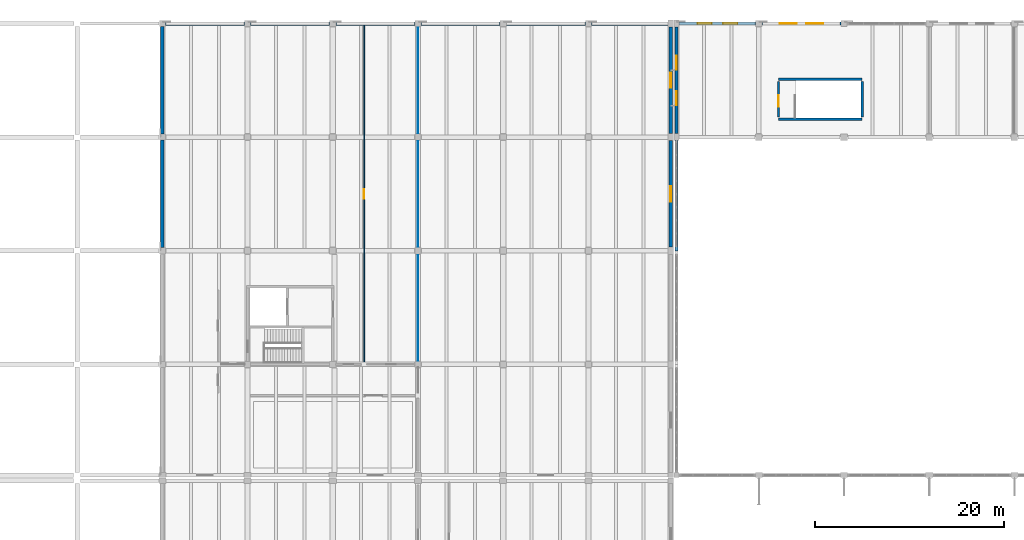
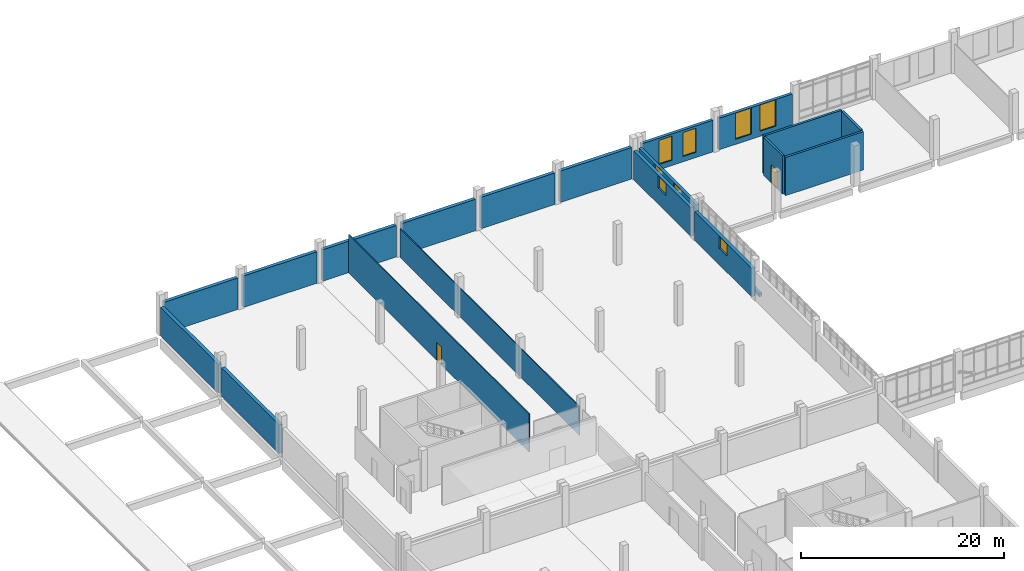
# One storey, part 91 of 110: 20 walls, 8 windows, 2 doors, 10 openings.
"""IFC4 building model written with IfcOpenShell, lengths in metres."""

from ifc_helpers import new_model, si_unit, direction, frame, frame_2d, origin, place, context, subcontext, project, spatial, rectangle, extrude, material, layer, layer_set, type_object, element, fill, save


model = new_model("IFC4")

# Units and contexts
model_context = context("Model", 3, precision=1e-05, world=origin(), true_north=direction((0.0, 1.0)))
body_context = subcontext(model_context, "Body", "Model", "MODEL_VIEW")
ifc_project = project(units=[si_unit("LENGTHUNIT", "METRE"), si_unit("AREAUNIT", "SQUARE_METRE"), si_unit("VOLUMEUNIT", "CUBIC_METRE"), si_unit("PLANEANGLEUNIT", "RADIAN"), si_unit("MASSUNIT", "GRAM", prefix="KILO")], contexts=[model_context])

# Site, building, storey
site_placement = place(None, origin())
site = spatial("IfcSite", under=ifc_project, at=site_placement, CompositionType="ELEMENT")
building_placement = place(site_placement, origin())
building = spatial("IfcBuilding", under=site, at=building_placement, Name="Zacnel Wholesale Market", CompositionType="ELEMENT")
storey_placement = place(building_placement, frame((0.0, 0.0, 6.300048828125)))
storey = spatial("IfcBuildingStorey", under=building, at=storey_placement, Name="L02", CompositionType="ELEMENT", Elevation=6.300048828125)

# Walls
ifc_material_1 = material(Name="Concrete C40/50", Category="concrete")
ifc_layer_1 = layer(ifc_material_1, 0.25)
ifc_layer_set_1 = layer_set([ifc_layer_1], Name="Concrete C40/50")
wall_type_1 = type_object("IfcWallType", Name="WL-CORE-SW250", PredefinedType="SOLIDWALL", material=ifc_layer_set_1)
for number, where, z_axis, x_axis, name in (
    (1, (83.074951171875, 133.875, 0.0), (0.0, 0.0, 1.0), (1.0, 0.0, 0.0), "Stair ST-20 south enclosure wall L02"),
    (2, (83.074951171875, 138.125, 0.0), (0.0, 0.0, 1.0), (1.0, 0.0, 0.0), "Stair ST-20 north enclosure wall L02"),
):
    element("IfcWall", number, at=place(storey_placement, frame(where, z_axis=z_axis, x_axis=x_axis)), inside=storey, type_object=wall_type_1, Name=name, PredefinedType="SOLIDWALL", context=body_context, shape_type="SweptSolid", body=[
        extrude(rectangle(XDim=8.85009765625, YDim=0.25, at=frame_2d((4.425048828125, 0.0))), origin(), (0.0, 0.0, 1.0), 4.599853515625),
    ])

# Wall, opening, door
wall_1_placement = place(storey_placement, frame((83.074951171875, 134.125, 0.0), z_axis=(0.0, 0.0, 1.0), x_axis=(0.0, 1.0, 0.0)))
wall_1 = element("IfcWall", 3, at=wall_1_placement, inside=storey, type_object=wall_type_1, Name="Stair ST-20 west enclosure wall L02", PredefinedType="SOLIDWALL", context=body_context, shape_type="SweptSolid", body=[
    extrude(rectangle(XDim=3.75, YDim=0.25, at=frame_2d((1.875, 0.0))), origin(), (0.0, 0.0, 1.0), 4.599853515625),
])
opening_1_placement = place(wall_1_placement, frame((1.10009765625, 0.0, 0.0)))
opening_1 = element("IfcOpeningElement", 4, at=opening_1_placement, cuts=wall_1, Name="Opening FD-01", PredefinedType="OPENING", context=body_context, shape_type="SweptSolid", body=[
    extrude(rectangle(XDim=1.199951171875, YDim=2.199951171875, at=frame_2d((0.60009765625, 1.10009765625))), frame((0.0, 0.135009765625, 0.0), z_axis=(0.0, -1.0, 0.0), x_axis=(1.0, 0.0, 0.0)), (0.0, 0.0, 1.0), 0.27001953125),
])
ifc_material_2 = material(Name="Galvanized steel", Category="steel")
door_type_1 = type_object("IfcDoorType", Name="DR-FIRE-STAIR-1200", OperationType="NOTDEFINED", PredefinedType="DOOR", material=ifc_material_2)
door_1_placement = place(opening_1_placement, origin())
door_1 = element("IfcDoor", 5, at=door_1_placement, inside=storey, type_object=door_type_1, Name="Stair ST-20 fire door L02", OperationType="SINGLE_SWING_LEFT", OverallHeight=2.199951171875, OverallWidth=1.199951171875, PredefinedType="DOOR", context=body_context, shape_type="SweptSolid", body=[
    extrude(rectangle(XDim=1.199951171875, YDim=2.199951171875, at=frame_2d((0.60009765625, 1.10009765625))), frame((0.0, 0.02490234375, 0.0), z_axis=(0.0, -1.0, 0.0), x_axis=(1.0, 0.0, 0.0)), (0.0, 0.0, 1.0), 0.050048828125),
])
fill(opening_1, door_1)

# Walls
wall_2_placement = place(storey_placement, frame((91.925048828125, 134.125, 0.0), z_axis=(0.0, 0.0, 1.0), x_axis=(0.0, 1.0, 0.0)))
element("IfcWall", 6, at=wall_2_placement, inside=storey, type_object=wall_type_1, Name="Stair ST-20 east enclosure wall L02", PredefinedType="SOLIDWALL", context=body_context, shape_type="SweptSolid", body=[
    extrude(rectangle(XDim=3.75, YDim=0.25, at=frame_2d((1.875, 0.0))), origin(), (0.0, 0.0, 1.0), 4.599853515625),
])
ifc_material_3 = material(Name="Precast concrete C40/50 (insulated sandwich panel)", Category="concrete")
ifc_layer_2 = layer(ifc_material_3, 0.3798828125)
ifc_layer_set_2 = layer_set([ifc_layer_2], Name="Precast concrete C40/50 (insulated sandwich panel)")
wall_type_2 = type_object("IfcWallType", Name="WL-EXT-COLD-380", PredefinedType="SOLIDWALL", material=ifc_layer_set_2)
for number, where, z_axis, x_axis, name in (
    (7, (18.324951171875, 144.0, 0.0), (0.0, 0.0, 1.0), (1.0, 0.0, 0.0), "Exterior wall L02-0220"),
    (8, (27.324951171875, 144.0, 0.0), (0.0, 0.0, 1.0), (1.0, 0.0, 0.0), "Exterior wall L02-0221"),
    (9, (36.324951171875, 144.0, 0.0), (0.0, 0.0, 1.0), (1.0, 0.0, 0.0), "Exterior wall L02-0222"),
    (10, (45.324951171875, 144.0, 0.0), (0.0, 0.0, 1.0), (1.0, 0.0, 0.0), "Exterior wall L02-0223"),
    (11, (54.324951171875, 144.0, 0.0), (0.0, 0.0, 1.0), (1.0, 0.0, 0.0), "Exterior wall L02-0224"),
):
    element("IfcWall", number, at=place(storey_placement, frame(where, z_axis=z_axis, x_axis=x_axis)), inside=storey, type_object=wall_type_2, Name=name, PredefinedType="SOLIDWALL", context=body_context, shape_type="SweptSolid", body=[
        extrude(rectangle(XDim=8.35009765625, YDim=0.3798828125, at=frame_2d((4.175048828125, 0.0))), origin(), (0.0, 0.0, 1.0), 3.780029296875),
    ])
wall_3_placement = place(storey_placement, frame((63.324951171875, 144.0, 0.0), z_axis=(0.0, 0.0, 1.0), x_axis=(1.0, 0.0, 0.0)))
element("IfcWall", 12, at=wall_3_placement, inside=storey, type_object=wall_type_2, Name="Exterior wall L02-0225", PredefinedType="SOLIDWALL", context=body_context, shape_type="SweptSolid", body=[
    extrude(rectangle(XDim=8.10009765625, YDim=0.3798828125, at=frame_2d((4.050048828125, 0.0))), origin(), (0.0, 0.0, 1.0), 3.780029296875),
])
for number, where, z_axis, x_axis, name in (
    (13, (18.0, 120.324951171875, 0.0), (0.0, 0.0, 1.0), (0.0, 1.0, 0.0), "Exterior wall L02-0228"),
    (14, (18.0, 132.324951171875, 0.0), (0.0, 0.0, 1.0), (0.0, 1.0, 0.0), "Exterior wall L02-0229"),
):
    element("IfcWall", number, at=place(storey_placement, frame(where, z_axis=z_axis, x_axis=x_axis)), inside=storey, type_object=wall_type_2, Name=name, PredefinedType="SOLIDWALL", context=body_context, shape_type="SweptSolid", body=[
        extrude(rectangle(XDim=11.35009765625, YDim=0.3798828125, at=frame_2d((5.675048828125, 0.0))), origin(), (0.0, 0.0, 1.0), 3.449951171875),
    ])

# Wall, opening, window
wall_4_placement = place(storey_placement, frame((71.699951171875, 120.375, 0.0), z_axis=(0.0, 0.0, 1.0), x_axis=(0.0, 1.0, 0.0)))
wall_4 = element("IfcWall", 15, at=wall_4_placement, inside=storey, type_object=wall_type_2, Name="Exterior wall L02-0232", PredefinedType="SOLIDWALL", context=body_context, shape_type="SweptSolid", body=[
    extrude(rectangle(XDim=11.25, YDim=0.3798828125, at=frame_2d((5.625, 0.0))), origin(), (0.0, 0.0, 1.0), 3.449951171875),
])
opening_2_placement = place(wall_4_placement, frame((4.824951171875, 0.0, 1.9599609375)))
opening_2 = element("IfcOpeningElement", 16, at=opening_2_placement, cuts=wall_4, Name="Opening W-06", PredefinedType="OPENING", context=body_context, shape_type="SweptSolid", body=[
    extrude(rectangle(XDim=1.60009765625, YDim=1.449951171875, at=frame_2d((0.800048828125, 0.72509765625))), frame((0.0, 0.199951171875, 0.0), z_axis=(0.0, -1.0, 0.0), x_axis=(1.0, 0.0, 0.0)), (0.0, 0.0, 1.0), 0.39990234375),
])
ifc_material_4 = material(Name="Laminated hurricane-impact low-E insulated glass", Category="glass")
window_type_1 = type_object("IfcWindowType", Name="WIN-HIG-1600X1450", PartitioningType="DOUBLE_PANEL_HORIZONTAL", PredefinedType="WINDOW", material=ifc_material_4)
window_1_placement = place(opening_2_placement, origin())
window_1 = element("IfcWindow", 17, at=window_1_placement, inside=storey, type_object=window_type_1, Name="Window L02-0205", OverallHeight=1.449951171875, OverallWidth=1.60009765625, PartitioningType="DOUBLE_PANEL_HORIZONTAL", PredefinedType="WINDOW", context=body_context, shape_type="SweptSolid", body=[
    extrude(rectangle(XDim=1.60009765625, YDim=1.449951171875, at=frame_2d((0.800048828125, 0.72509765625))), frame((0.0, 0.030029296875, 0.0), z_axis=(0.0, -1.0, 0.0), x_axis=(1.0, 0.0, 0.0)), (0.0, 0.0, 1.0), 0.06005859375),
])
fill(opening_2, window_1)

wall_5_placement = place(storey_placement, frame((71.699951171875, 132.375, 0.0), z_axis=(0.0, 0.0, 1.0), x_axis=(0.0, 1.0, 0.0)))
wall_5 = element("IfcWall", 18, at=wall_5_placement, inside=storey, type_object=wall_type_2, Name="Exterior wall L02-0233", PredefinedType="SOLIDWALL", context=body_context, shape_type="SweptSolid", body=[
    extrude(rectangle(XDim=11.25, YDim=0.3798828125, at=frame_2d((5.625, 0.0))), origin(), (0.0, 0.0, 1.0), 3.449951171875),
])
opening_3_placement = place(wall_5_placement, frame((4.824951171875, 0.0, 1.9599609375)))
opening_3 = element("IfcOpeningElement", 19, at=opening_3_placement, cuts=wall_5, Name="Opening W-06", PredefinedType="OPENING", context=body_context, shape_type="SweptSolid", body=[
    extrude(rectangle(XDim=1.60009765625, YDim=1.449951171875, at=frame_2d((0.800048828125, 0.72509765625))), frame((0.0, 0.199951171875, 0.0), z_axis=(0.0, -1.0, 0.0), x_axis=(1.0, 0.0, 0.0)), (0.0, 0.0, 1.0), 0.39990234375),
])
window_2_placement = place(opening_3_placement, origin())
window_2 = element("IfcWindow", 20, at=window_2_placement, inside=storey, type_object=window_type_1, Name="Window L02-0206", OverallHeight=1.449951171875, OverallWidth=1.60009765625, PartitioningType="DOUBLE_PANEL_HORIZONTAL", PredefinedType="WINDOW", context=body_context, shape_type="SweptSolid", body=[
    extrude(rectangle(XDim=1.60009765625, YDim=1.449951171875, at=frame_2d((0.800048828125, 0.72509765625))), frame((0.0, 0.030029296875, 0.0), z_axis=(0.0, -1.0, 0.0), x_axis=(1.0, 0.0, 0.0)), (0.0, 0.0, 1.0), 0.06005859375),
])
fill(opening_3, window_2)

# Wall
ifc_material_5 = material(Name="Precast concrete C40/50 (Cancun limestone aggregate)", Category="masonry")
ifc_layer_3 = layer(ifc_material_5, 0.300048828125)
ifc_layer_set_3 = layer_set([ifc_layer_3], Name="Precast concrete C40/50 (Cancun limestone aggregate)")
wall_type_3 = type_object("IfcWallType", Name="WL-EXT-LIME-300", PredefinedType="SOLIDWALL", material=ifc_layer_set_3)
wall_6_placement = place(storey_placement, frame((72.300048828125, 120.0, 0.0), z_axis=(0.0, 0.0, 1.0), x_axis=(0.0, 1.0, 0.0)))
element("IfcWall", 21, at=wall_6_placement, inside=storey, type_object=wall_type_3, Name="Curtain-wall limestone plinth L02-0031", PredefinedType="SOLIDWALL", context=body_context, shape_type="SweptSolid", body=[
    extrude(rectangle(XDim=11.625, YDim=0.300048828125, at=frame_2d((5.8125, 0.0))), origin(), (0.0, 0.0, 1.0), 0.449951171875),
])

# Wall, openings, windows
ifc_material_6 = material(Name="Precast concrete C40/50 (Cancun limestone aggregate)", Category="masonry")
ifc_layer_4 = layer(ifc_material_6, 0.340087890625)
ifc_layer_set_4 = layer_set([ifc_layer_4], Name="Precast concrete C40/50 (Cancun limestone aggregate)")
wall_type_4 = type_object("IfcWallType", Name="WL-EXT-LIME-340", PredefinedType="SOLIDWALL", material=ifc_layer_set_4)
wall_7_placement = place(storey_placement, frame((72.574951171875, 144.0, 0.0), z_axis=(0.0, 0.0, 1.0), x_axis=(1.0, 0.0, 0.0)))
wall_7 = element("IfcWall", 22, at=wall_7_placement, inside=storey, type_object=wall_type_4, Name="Exterior wall L02-0283", PredefinedType="SOLIDWALL", context=body_context, shape_type="SweptSolid", body=[
    extrude(rectangle(XDim=8.10009765625, YDim=0.340087890625, at=frame_2d((4.050048828125, 0.0))), origin(), (0.0, 0.0, 1.0), 3.800048828125),
])
opening_4_placement = place(wall_7_placement, frame((1.949951171875, 0.0, 0.6298828125)))
opening_4 = element("IfcOpeningElement", 23, at=opening_4_placement, cuts=wall_7, Name="Opening W-04", PredefinedType="OPENING", context=body_context, shape_type="SweptSolid", body=[
    extrude(rectangle(XDim=1.5, YDim=2.89990234375, at=frame_2d((0.75, 1.449951171875))), frame((0.0, 0.179931640625, 0.0), z_axis=(0.0, -1.0, 0.0), x_axis=(1.0, 0.0, 0.0)), (0.0, 0.0, 1.0), 0.360107421875),
])
opening_5_placement = place(wall_7_placement, frame((4.64990234375, 0.0, 0.6298828125)))
opening_5 = element("IfcOpeningElement", 24, at=opening_5_placement, cuts=wall_7, Name="Opening W-04", PredefinedType="OPENING", context=body_context, shape_type="SweptSolid", body=[
    extrude(rectangle(XDim=1.5, YDim=2.89990234375, at=frame_2d((0.75, 1.449951171875))), frame((0.0, 0.179931640625, 0.0), z_axis=(0.0, -1.0, 0.0), x_axis=(1.0, 0.0, 0.0)), (0.0, 0.0, 1.0), 0.360107421875),
])
ifc_material_7 = material(Name="Laminated hurricane-impact low-E insulated glass", Category="glass")
window_type_2 = type_object("IfcWindowType", Name="WIN-DEC-1500X2900", PartitioningType="DOUBLE_PANEL_VERTICAL", PredefinedType="WINDOW", material=ifc_material_7)
window_3_placement = place(opening_4_placement, origin())
window_3 = element("IfcWindow", 25, at=window_3_placement, inside=storey, type_object=window_type_2, Name="Window L02-0301", OverallHeight=2.89990234375, OverallWidth=1.5, PartitioningType="DOUBLE_PANEL_VERTICAL", PredefinedType="WINDOW", context=body_context, shape_type="SweptSolid", body=[
    extrude(rectangle(XDim=1.5, YDim=2.89990234375, at=frame_2d((0.75, 1.449951171875))), frame((0.0, 0.030029296875, 0.0), z_axis=(0.0, -1.0, 0.0), x_axis=(1.0, 0.0, 0.0)), (0.0, 0.0, 1.0), 0.06005859375),
])
fill(opening_4, window_3)
window_4_placement = place(opening_5_placement, origin())
window_4 = element("IfcWindow", 26, at=window_4_placement, inside=storey, type_object=window_type_2, Name="Window L02-0302", OverallHeight=2.89990234375, OverallWidth=1.5, PartitioningType="DOUBLE_PANEL_VERTICAL", PredefinedType="WINDOW", context=body_context, shape_type="SweptSolid", body=[
    extrude(rectangle(XDim=1.5, YDim=2.89990234375, at=frame_2d((0.75, 1.449951171875))), frame((0.0, 0.030029296875, 0.0), z_axis=(0.0, -1.0, 0.0), x_axis=(1.0, 0.0, 0.0)), (0.0, 0.0, 1.0), 0.06005859375),
])
fill(opening_5, window_4)

wall_8_placement = place(storey_placement, frame((81.324951171875, 144.0, 0.0), z_axis=(0.0, 0.0, 1.0), x_axis=(1.0, 0.0, 0.0)))
wall_8 = element("IfcWall", 27, at=wall_8_placement, inside=storey, type_object=wall_type_4, Name="Exterior wall L02-0284", PredefinedType="SOLIDWALL", context=body_context, shape_type="SweptSolid", body=[
    extrude(rectangle(XDim=8.35009765625, YDim=0.340087890625, at=frame_2d((4.175048828125, 0.0))), origin(), (0.0, 0.0, 1.0), 3.800048828125),
])
opening_6_placement = place(wall_8_placement, frame((1.883056640625, 0.0, 0.610107421875)))
opening_6 = element("IfcOpeningElement", 28, at=opening_6_placement, cuts=wall_8, Name="Opening W-03", PredefinedType="OPENING", context=body_context, shape_type="SweptSolid", body=[
    extrude(rectangle(XDim=1.800048828125, YDim=3.14990234375, at=frame_2d((0.89990234375, 1.574951171875))), frame((0.0, 0.179931640625, 0.0), z_axis=(0.0, -1.0, 0.0), x_axis=(1.0, 0.0, 0.0)), (0.0, 0.0, 1.0), 0.360107421875),
])
opening_7_placement = place(wall_8_placement, frame((4.6669921875, 0.0, 0.610107421875)))
opening_7 = element("IfcOpeningElement", 29, at=opening_7_placement, cuts=wall_8, Name="Opening W-03", PredefinedType="OPENING", context=body_context, shape_type="SweptSolid", body=[
    extrude(rectangle(XDim=1.800048828125, YDim=3.14990234375, at=frame_2d((0.89990234375, 1.574951171875))), frame((0.0, 0.179931640625, 0.0), z_axis=(0.0, -1.0, 0.0), x_axis=(1.0, 0.0, 0.0)), (0.0, 0.0, 1.0), 0.360107421875),
])
ifc_material_8 = material(Name="Laminated hurricane-impact low-E insulated glass", Category="glass")
window_type_3 = type_object("IfcWindowType", Name="WIN-DEC-1800X3150", PartitioningType="DOUBLE_PANEL_VERTICAL", PredefinedType="WINDOW", material=ifc_material_8)
window_5_placement = place(opening_6_placement, origin())
window_5 = element("IfcWindow", 30, at=window_5_placement, inside=storey, type_object=window_type_3, Name="Window L02-0303", OverallHeight=3.14990234375, OverallWidth=1.800048828125, PartitioningType="DOUBLE_PANEL_VERTICAL", PredefinedType="WINDOW", context=body_context, shape_type="SweptSolid", body=[
    extrude(rectangle(XDim=1.800048828125, YDim=3.14990234375, at=frame_2d((0.89990234375, 1.574951171875))), frame((0.0, 0.030029296875, 0.0), z_axis=(0.0, -1.0, 0.0), x_axis=(1.0, 0.0, 0.0)), (0.0, 0.0, 1.0), 0.06005859375),
])
fill(opening_6, window_5)
window_6_placement = place(opening_7_placement, origin())
window_6 = element("IfcWindow", 31, at=window_6_placement, inside=storey, type_object=window_type_3, Name="Window L02-0304", OverallHeight=3.14990234375, OverallWidth=1.800048828125, PartitioningType="DOUBLE_PANEL_VERTICAL", PredefinedType="WINDOW", context=body_context, shape_type="SweptSolid", body=[
    extrude(rectangle(XDim=1.800048828125, YDim=3.14990234375, at=frame_2d((0.89990234375, 1.574951171875))), frame((0.0, 0.030029296875, 0.0), z_axis=(0.0, -1.0, 0.0), x_axis=(1.0, 0.0, 0.0)), (0.0, 0.0, 1.0), 0.06005859375),
])
fill(opening_7, window_6)

wall_9_placement = place(storey_placement, frame((72.300048828125, 132.375, 0.0), z_axis=(0.0, 0.0, 1.0), x_axis=(0.0, 1.0, 0.0)))
wall_9 = element("IfcWall", 32, at=wall_9_placement, inside=storey, type_object=wall_type_4, Name="Exterior wall L02-0289", PredefinedType="SOLIDWALL", context=body_context, shape_type="SweptSolid", body=[
    extrude(rectangle(XDim=11.25, YDim=0.340087890625, at=frame_2d((5.625, 0.0))), origin(), (0.0, 0.0, 1.0), 3.570068359375),
])
opening_8_placement = place(wall_9_placement, frame((3.0, 0.0, 0.6298828125)))
opening_8 = element("IfcOpeningElement", 33, at=opening_8_placement, cuts=wall_9, Name="Opening W-04", PredefinedType="OPENING", context=body_context, shape_type="SweptSolid", body=[
    extrude(rectangle(XDim=1.5, YDim=2.89990234375, at=frame_2d((0.75, 1.449951171875))), frame((0.0, 0.179931640625, 0.0), z_axis=(0.0, -1.0, 0.0), x_axis=(1.0, 0.0, 0.0)), (0.0, 0.0, 1.0), 0.360107421875),
])
opening_9_placement = place(wall_9_placement, frame((6.75, 0.0, 0.6298828125)))
opening_9 = element("IfcOpeningElement", 34, at=opening_9_placement, cuts=wall_9, Name="Opening W-04", PredefinedType="OPENING", context=body_context, shape_type="SweptSolid", body=[
    extrude(rectangle(XDim=1.5, YDim=2.89990234375, at=frame_2d((0.75, 1.449951171875))), frame((0.0, 0.179931640625, 0.0), z_axis=(0.0, -1.0, 0.0), x_axis=(1.0, 0.0, 0.0)), (0.0, 0.0, 1.0), 0.360107421875),
])
window_7_placement = place(opening_8_placement, origin())
window_7 = element("IfcWindow", 35, at=window_7_placement, inside=storey, type_object=window_type_2, Name="Window L02-0313", OverallHeight=2.89990234375, OverallWidth=1.5, PartitioningType="DOUBLE_PANEL_VERTICAL", PredefinedType="WINDOW", context=body_context, shape_type="SweptSolid", body=[
    extrude(rectangle(XDim=1.5, YDim=2.89990234375, at=frame_2d((0.75, 1.449951171875))), frame((0.0, 0.030029296875, 0.0), z_axis=(0.0, -1.0, 0.0), x_axis=(1.0, 0.0, 0.0)), (0.0, 0.0, 1.0), 0.06005859375),
])
fill(opening_8, window_7)
window_8_placement = place(opening_9_placement, origin())
window_8 = element("IfcWindow", 36, at=window_8_placement, inside=storey, type_object=window_type_2, Name="Window L02-0314", OverallHeight=2.89990234375, OverallWidth=1.5, PartitioningType="DOUBLE_PANEL_VERTICAL", PredefinedType="WINDOW", context=body_context, shape_type="SweptSolid", body=[
    extrude(rectangle(XDim=1.5, YDim=2.89990234375, at=frame_2d((0.75, 1.449951171875))), frame((0.0, 0.030029296875, 0.0), z_axis=(0.0, -1.0, 0.0), x_axis=(1.0, 0.0, 0.0)), (0.0, 0.0, 1.0), 0.06005859375),
])
fill(opening_9, window_8)

# Wall
ifc_material_9 = material(Name="Moisture-resistant gypsum board partition")
ifc_layer_5 = layer(ifc_material_9, 0.10009765625)
ifc_layer_set_5 = layer_set([ifc_layer_5], Name="Moisture-resistant gypsum board partition")
wall_type_5 = type_object("IfcWallType", Name="WL-PART-GYP100", PredefinedType="PARTITIONING", material=ifc_layer_set_5)
wall_10_placement = place(storey_placement, frame((45.0, 108.300048828125, 0.0), z_axis=(0.0, 0.0, 1.0), x_axis=(0.0, 1.0, 0.0)))
element("IfcWall", 37, at=wall_10_placement, inside=storey, type_object=wall_type_5, Name="Interior partition L02-0084", PredefinedType="PARTITIONING", context=body_context, shape_type="SweptSolid", body=[
    extrude(rectangle(XDim=35.25, YDim=0.10009765625, at=frame_2d((17.625, 0.0))), origin(), (0.0, 0.0, 1.0), 3.449951171875),
])

# Wall, opening, door
ifc_material_10 = material(Name="Moisture-resistant gypsum board partition")
ifc_layer_6 = layer(ifc_material_10, 0.110107421875)
ifc_layer_set_6 = layer_set([ifc_layer_6], Name="Moisture-resistant gypsum board partition")
wall_type_6 = type_object("IfcWallType", Name="WL-PART-GYP110", PredefinedType="PARTITIONING", material=ifc_layer_set_6)
wall_11_placement = place(storey_placement, frame((39.300048828125, 108.300048828125, 0.0), z_axis=(0.0, 0.0, 1.0), x_axis=(0.0, 1.0, 0.0)))
wall_11 = element("IfcWall", 38, at=wall_11_placement, inside=storey, type_object=wall_type_6, Name="Interior partition L02-0083", PredefinedType="PARTITIONING", context=body_context, shape_type="SweptSolid", body=[
    extrude(rectangle(XDim=35.530029296875, YDim=0.110107421875, at=frame_2d((17.76513671875, 0.0))), origin(), (0.0, 0.0, 1.0), 4.56005859375),
])
opening_10_placement = place(wall_11_placement, frame((17.199951171875, 0.0, 0.0)))
opening_10 = element("IfcOpeningElement", 39, at=opening_10_placement, cuts=wall_11, Name="Opening ID-03", PredefinedType="OPENING", context=body_context, shape_type="SweptSolid", body=[
    extrude(rectangle(XDim=1.0, YDim=2.14990234375, at=frame_2d((0.5, 1.074951171875))), frame((0.0, 0.06494140625, 0.0), z_axis=(0.0, -1.0, 0.0), x_axis=(1.0, 0.0, 0.0)), (0.0, 0.0, 1.0), 0.130126953125),
])
ifc_material_11 = material(Name="Solid-core tropical hardwood door", Category="wood")
door_type_2 = type_object("IfcDoorType", Name="DR-OFF-SGL-1000", OperationType="NOTDEFINED", PredefinedType="DOOR", material=ifc_material_11)
door_2_placement = place(opening_10_placement, origin())
door_2 = element("IfcDoor", 40, at=door_2_placement, inside=storey, type_object=door_type_2, Name="Interior door L02-0066", OperationType="SINGLE_SWING_LEFT", OverallHeight=2.14990234375, OverallWidth=1.0, PredefinedType="DOOR", context=body_context, shape_type="SweptSolid", body=[
    extrude(rectangle(XDim=1.0, YDim=2.14990234375, at=frame_2d((0.5, 1.074951171875))), frame((0.0, 0.02490234375, 0.0), z_axis=(0.0, -1.0, 0.0), x_axis=(1.0, 0.0, 0.0)), (0.0, 0.0, 1.0), 0.050048828125),
])
fill(opening_10, door_2)

save(model, "model.ifc")
